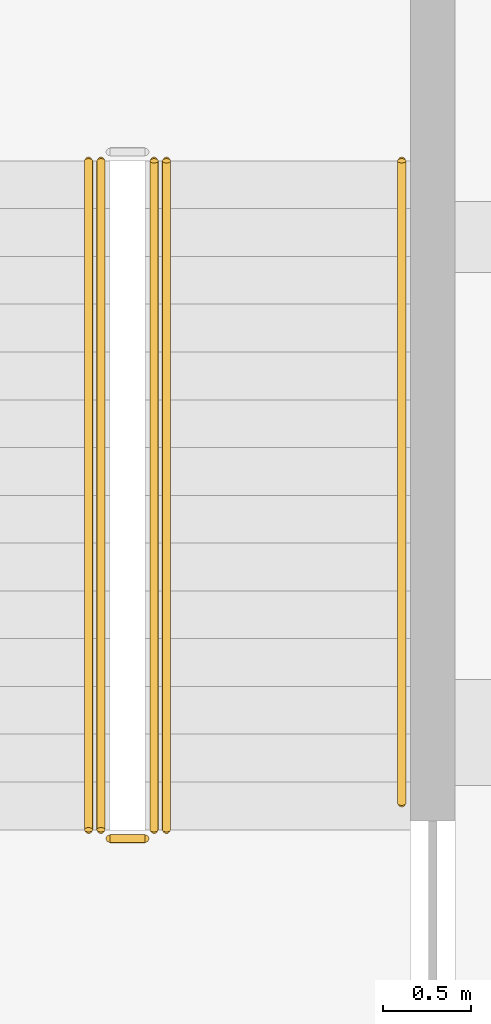
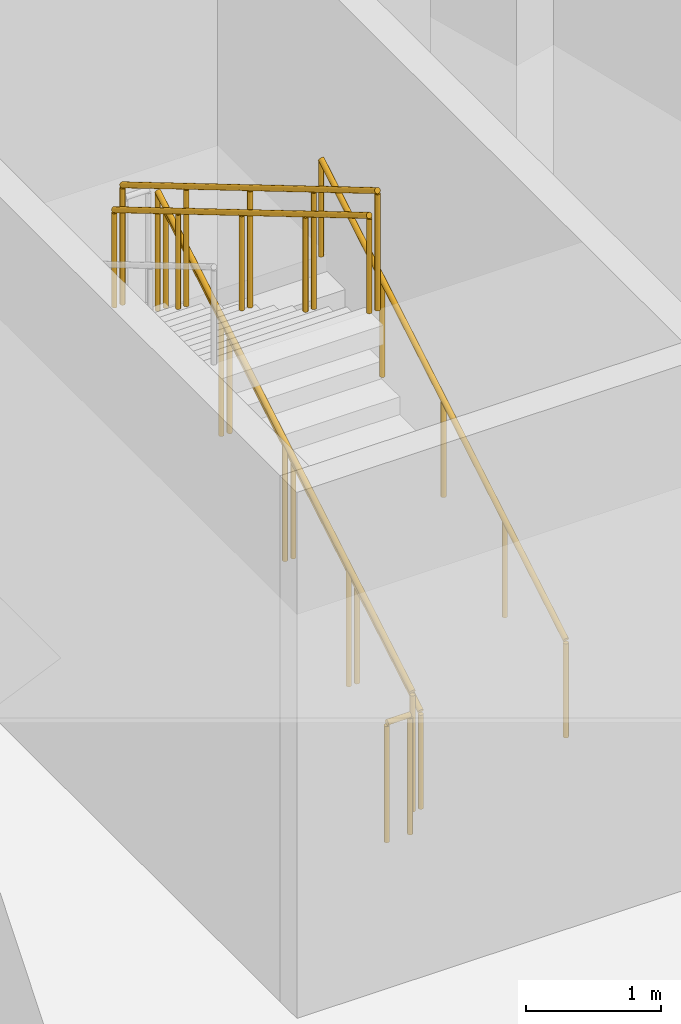
# One storey, part 106 of 119: 6 railings.
"""IFC4 building model written with IfcOpenShell, lengths in metres."""

import ifcopenshell
import ifcopenshell.guid

model = None  # the IFC model being written
_history = None  # IfcOwnerHistory: only IFC2X3 demands one
_inside = {}  # id of a spatial element -> (the spatial element, [elements in it])
_under = {}  # id of a project, library or spatial element -> (it, [spatial elements below it])
_declared = {}  # id of a project -> (the project, [libraries it declares])
_typed = {}  # id of a type object -> (the type object, [elements of that type])
_made_of = {}  # id of a material, layer set ... -> (it, [elements and type objects made of it])


def new_model(schema):
    """Start an empty IFC model of exactly this schema.

    Asked for "IFC4X3", IfcOpenShell would pick the latest addendum, in which some entities
    have other attributes; the version numbers below select the first issue.
    IFC2X3 requires an IfcOwnerHistory on every rooted entity: one is made here for all.
    """
    global model, _history
    if schema == "IFC4X3":
        model = ifcopenshell.file(schema_version=(4, 3, 0, 0))
    else:
        model = ifcopenshell.file(schema=schema)
    _inside.clear()
    _under.clear()
    _declared.clear()
    _typed.clear()
    _made_of.clear()
    _history = None
    if model.schema == "IFC2X3":
        org = make("IfcOrganization", Name="unknown")
        user = make(
            "IfcPersonAndOrganization",
            ThePerson=make("IfcPerson", FamilyName="unknown"),
            TheOrganization=org,
        )
        app = make(
            "IfcApplication",
            ApplicationDeveloper=org,
            Version="unknown",
            ApplicationFullName="unknown",
            ApplicationIdentifier="unknown",
        )
        _history = make(
            "IfcOwnerHistory",
            OwningUser=user,
            OwningApplication=app,
            ChangeAction="ADDED",
            CreationDate=0,
        )
    return model


def make(cls, **values):
    """One entity of the class cls with the attributes given. An attribute that is None is left unset."""
    return model.create_entity(
        cls, **{name: value for name, value in values.items() if value is not None}
    )


def rooted(cls, **values):
    """An entity with a GlobalId (a new one), such as an element, a storey or a relation."""
    return make(cls, GlobalId=ifcopenshell.guid.new(), OwnerHistory=_history, **values)


def si_unit(unit_type, name, prefix=None):
    """IfcSIUnit, for example si_unit("LENGTHUNIT", "METRE", prefix="MILLI")."""
    return make("IfcSIUnit", UnitType=unit_type, Prefix=prefix, Name=name)


def assignment(units):
    """IfcUnitAssignment: the units of a project."""
    return None if units is None else make("IfcUnitAssignment", Units=units)


def point(xyz):
    """IfcCartesianPoint."""
    return None if xyz is None else make("IfcCartesianPoint", Coordinates=xyz)


def direction(xyz):
    """IfcDirection."""
    return None if xyz is None else make("IfcDirection", DirectionRatios=xyz)


def frame(location, z_axis=None, x_axis=None):
    """IfcAxis2Placement3D, a coordinate frame: its origin and axes. An axis left out is left unset."""
    return make(
        "IfcAxis2Placement3D",
        Location=point(location),
        Axis=direction(z_axis),
        RefDirection=direction(x_axis),
    )


def frame_2d(location, x_axis=None):
    """IfcAxis2Placement2D, a coordinate frame in the plane: its origin and x axis."""
    return make(
        "IfcAxis2Placement2D", Location=point(location), RefDirection=direction(x_axis)
    )


def origin():
    """The frame at (0, 0, 0) with its axes left unset."""
    return frame((0.0, 0.0, 0.0))


def origin_2d():
    """The frame at (0, 0) in the plane with its x axis left unset."""
    return frame_2d((0.0, 0.0))


def place(relative_to, where):
    """IfcLocalPlacement: puts the frame where relative to a parent placement (None: the world)."""
    return make(
        "IfcLocalPlacement", PlacementRelTo=relative_to, RelativePlacement=where
    )


def context(
    kind, dimensions, precision=None, world=None, true_north=None, identifier=None
):
    """IfcGeometricRepresentationContext, for example the 3D "Model" context."""
    return make(
        "IfcGeometricRepresentationContext",
        ContextIdentifier=identifier,
        ContextType=kind,
        CoordinateSpaceDimension=dimensions,
        Precision=precision,
        WorldCoordinateSystem=world,
        TrueNorth=true_north,
    )


def subcontext(parent, identifier, kind, view, scale=None):
    """IfcGeometricRepresentationSubContext, for example "Body" below "Model"."""
    return make(
        "IfcGeometricRepresentationSubContext",
        ContextIdentifier=identifier,
        ContextType=kind,
        ParentContext=parent,
        TargetScale=scale,
        TargetView=view,
    )


def project(units=None, contexts=None):
    """IfcProject with its units and contexts."""
    return rooted(
        "IfcProject",
        Name="project",
        RepresentationContexts=contexts,
        UnitsInContext=assignment(units),
    )


def spatial(cls, under=None, at=None, **own):
    """A site, building, storey or space (cls), placed at a placement, below another one or the project."""
    s = rooted(cls, ObjectPlacement=at, **own)
    if under is not None:
        _under.setdefault(under.id(), (under, []))[1].append(s)
    return s


def profile(cls, at=None, kind="AREA", **sizes):
    """A parametric profile (cls). Its sizes go by their IFC names, for example OverallWidth=200.0."""
    return make(cls, ProfileType=kind, Position=at, **sizes)


def circle(**sizes):
    """IfcCircleProfileDef."""
    return profile("IfcCircleProfileDef", **sizes)


def extrude(swept, where, along, depth):
    """IfcExtrudedAreaSolid: the profile swept, set in the frame where, extruded along a direction by depth."""
    return make(
        "IfcExtrudedAreaSolid",
        SweptArea=swept,
        Position=where,
        ExtrudedDirection=direction(along),
        Depth=depth,
    )


def shape(context_of_items, identifier, shape_type, items):
    """IfcShapeRepresentation: the items that make up one representation, for example the "Body"."""
    return make(
        "IfcShapeRepresentation",
        ContextOfItems=context_of_items,
        RepresentationIdentifier=identifier,
        RepresentationType=shape_type,
        Items=items,
    )


def material(Name=None, Category=None):
    """IfcMaterial."""
    return make("IfcMaterial", Name=Name, Category=Category)


def made_of(thing, what):
    """Note that an element or type object is made of a material, layer set ...; save() writes the relation."""
    if what is not None:
        _made_of.setdefault(what.id(), (what, []))[1].append(thing)
    return thing


def type_object(cls, material=None, **own):
    """A type object (cls), such as IfcWallType, which elements share."""
    return made_of(rooted(cls, **own), material)


def element(
    cls,
    number,
    at=None,
    inside=None,
    cuts=None,
    type_object=None,
    material=None,
    context=None,
    identifier="Body",
    shape_type=None,
    held_by="IfcProductDefinitionShape",
    body=None,
    shapes=None,
    **own,
):
    """One element of the class cls, such as IfcWall. Its Tag is "e" and its number.

    at: its placement. inside: the storey or other place that contains it. cuts: it is an
    opening in that element (IfcRelVoidsElement). A single representation is given by context,
    identifier, shape_type and body (its items); several are given by shapes. held_by: the class
    of the entity that holds the representations. save() writes the other relations.
    """
    e = rooted(cls, Tag="e%d" % number, ObjectPlacement=at, **own)
    if body is not None:
        shapes = [shape(context, identifier, shape_type, body)]
    if shapes is not None:
        e.Representation = make(held_by, Representations=shapes)
    if inside is not None:
        _inside.setdefault(inside.id(), (inside, []))[1].append(e)
    if cuts is not None:
        rooted(
            "IfcRelVoidsElement", RelatingBuildingElement=cuts, RelatedOpeningElement=e
        )
    if type_object is not None:
        _typed.setdefault(type_object.id(), (type_object, []))[1].append(e)
    return made_of(e, material)


def aggregate(whole, parts):
    """IfcRelAggregates: a whole, such as a stair, and the parts it consists of."""
    return rooted("IfcRelAggregates", RelatingObject=whole, RelatedObjects=parts)


def save(model, path):
    """Write the relations noted so far, then the file.

    IfcRelAggregates (storeys below a building ...), IfcRelContainedInSpatialStructure (elements
    in a storey), IfcRelDefinesByType, IfcRelAssociatesMaterial and IfcRelDeclares: one each for
    every whole, place, type object, material and project.
    """
    for whole, parts in _under.values():
        aggregate(whole, parts)
    for where, things in _inside.values():
        rooted(
            "IfcRelContainedInSpatialStructure",
            RelatedElements=things,
            RelatingStructure=where,
        )
    for kind, things in _typed.values():
        rooted("IfcRelDefinesByType", RelatedObjects=things, RelatingType=kind)
    for what, things in _made_of.values():
        rooted("IfcRelAssociatesMaterial", RelatedObjects=things, RelatingMaterial=what)
    for by, libraries in _declared.values():
        rooted("IfcRelDeclares", RelatingContext=by, RelatedDefinitions=libraries)
    model.write(path)


model = new_model("IFC4")

# Units and contexts
model_context = context("Model", 3, precision=1e-05, world=origin(), true_north=direction((0.0, 1.0)))
body_context = subcontext(model_context, "Body", "Model", "MODEL_VIEW")
ifc_project = project(units=[si_unit("LENGTHUNIT", "METRE"), si_unit("AREAUNIT", "SQUARE_METRE"), si_unit("VOLUMEUNIT", "CUBIC_METRE"), si_unit("PLANEANGLEUNIT", "RADIAN"), si_unit("MASSUNIT", "GRAM", prefix="KILO")], contexts=[model_context])

# Site, building, storey
site_placement = place(None, origin())
site = spatial("IfcSite", under=ifc_project, at=site_placement, CompositionType="ELEMENT")
building_placement = place(site_placement, origin())
building = spatial("IfcBuilding", under=site, at=building_placement, Name="Larchfold Concert Hall", CompositionType="ELEMENT")
storey_placement = place(building_placement, frame((0.0, 0.0, 4.800048828125)))
storey = spatial("IfcBuildingStorey", under=building, at=storey_placement, Name="L01", CompositionType="ELEMENT", Elevation=4.800048828125)

# Railings
ifc_material_1 = material(Name="Stainless steel balustrade", Category="steel")
railing_type_1 = type_object("IfcRailingType", Name="Stair guard 1100", PredefinedType="GUARDRAIL", material=ifc_material_1)
railing_1_placement = place(storey_placement, frame((62.050048828125, 92.449951171875, 0.159912109375)))
element("IfcRailing", 1, at=railing_1_placement, inside=storey, type_object=railing_type_1, Name="Guard GR0001", PredefinedType="GUARDRAIL", context=body_context, shape_type="SweptSolid", body=[
    extrude(circle(Radius=0.02392578125, at=origin_2d()), frame((0.0, 0.0, 1.076171875), z_axis=(0.0, 0.860294241299, 0.509797821089), x_axis=(-1.0, 0.0, 0.0)), (0.0, 0.0, 1.0), 4.393798828125),
    extrude(circle(Radius=0.02099609375, at=origin_2d()), origin(), (0.0, 0.0, 1.0), 1.052001953125),
    extrude(circle(Radius=0.02099609375, at=origin_2d()), frame((0.0, 0.945068359375, 0.56005859375)), (0.0, 0.0, 1.0), 1.052001953125),
    extrude(circle(Radius=0.02099609375, at=origin_2d()), frame((0.0, 1.89013671875, 1.1201171875)), (0.0, 0.0, 1.0), 1.052001953125),
    extrude(circle(Radius=0.02099609375, at=origin_2d()), frame((0.0, 2.8349609375, 1.679931640625)), (0.0, 0.0, 1.0), 1.052001953125),
    extrude(circle(Radius=0.02099609375, at=origin_2d()), frame((0.0, 3.780029296875, 2.239990234375)), (0.0, 0.0, 1.0), 1.052001953125),
])
railing_2_placement = place(storey_placement, frame((61.75, 96.22998046875, 2.56005859375)))
element("IfcRailing", 2, at=railing_2_placement, inside=storey, type_object=railing_type_1, Name="Guard GR0003", PredefinedType="GUARDRAIL", context=body_context, shape_type="SweptSolid", body=[
    extrude(circle(Radius=0.02392578125, at=origin_2d()), frame((0.0, 0.0, 1.076171875), z_axis=(0.0, -0.860294241299, 0.509797821089), x_axis=(1.0, 0.0, 0.0)), (0.0, 0.0, 1.0), 4.393798828125),
    extrude(circle(Radius=0.02099609375, at=origin_2d()), origin(), (0.0, 0.0, 1.0), 1.052001953125),
    extrude(circle(Radius=0.02099609375, at=origin_2d()), frame((0.0, -0.945068359375, 0.56005859375)), (0.0, 0.0, 1.0), 1.052001953125),
    extrude(circle(Radius=0.02099609375, at=origin_2d()), frame((0.0, -1.89013671875, 1.1201171875)), (0.0, 0.0, 1.0), 1.052001953125),
    extrude(circle(Radius=0.02099609375, at=origin_2d()), frame((0.0, -2.8349609375, 1.679931640625)), (0.0, 0.0, 1.0), 1.052001953125),
    extrude(circle(Radius=0.02099609375, at=origin_2d()), frame((0.0, -3.780029296875, 2.239990234375)), (0.0, 0.0, 1.0), 1.052001953125),
])
railing_3_placement = place(storey_placement, frame((62.0, 92.39990234375, 0.0)))
element("IfcRailing", 3, at=railing_3_placement, inside=storey, type_object=railing_type_1, Name="Guard GR0004", PredefinedType="GUARDRAIL", context=body_context, shape_type="SweptSolid", body=[
    extrude(circle(Radius=0.02392578125, at=origin_2d()), frame((0.0, 0.0, 1.076171875), z_axis=(-1.0, 0.0, 0.0), x_axis=(0.0, -1.0, 0.0)), (0.0, 0.0, 1.0), 0.199951171875),
    extrude(circle(Radius=0.02099609375, at=origin_2d()), origin(), (0.0, 0.0, 1.0), 1.052001953125),
    extrude(circle(Radius=0.02099609375, at=origin_2d()), frame((-0.199951171875, 0.0, 0.0)), (0.0, 0.0, 1.0), 1.052001953125),
])
ifc_material_2 = material(Name="Stainless steel handrail", Category="steel")
railing_type_2 = type_object("IfcRailingType", Name="Stair handrail 900", PredefinedType="HANDRAIL", material=ifc_material_2)
railing_4_placement = place(storey_placement, frame((63.449951171875, 92.60009765625, 0.248779296875)))
element("IfcRailing", 4, at=railing_4_placement, inside=storey, type_object=railing_type_2, Name="Handrail HR0001", PredefinedType="HANDRAIL", context=body_context, shape_type="SweptSolid", body=[
    extrude(circle(Radius=0.02392578125, at=origin_2d()), frame((0.0, 0.0, 0.8759765625), z_axis=(0.0, 0.860283074592, 0.509816664665), x_axis=(-1.0, 0.0, 0.0)), (0.0, 0.0, 1.0), 4.219482421875),
    extrude(circle(Radius=0.02099609375, at=origin_2d()), origin(), (0.0, 0.0, 1.0), 0.851806640625),
    extrude(circle(Radius=0.02099609375, at=origin_2d()), frame((0.0, 0.907470703125, 0.537841796875)), (0.0, 0.0, 1.0), 0.851806640625),
    extrude(circle(Radius=0.02099609375, at=origin_2d()), frame((0.0, 1.81494140625, 1.07568359375)), (0.0, 0.0, 1.0), 0.851806640625),
    extrude(circle(Radius=0.02099609375, at=origin_2d()), frame((0.0, 2.722412109375, 1.61328125)), (0.0, 0.0, 1.0), 0.851806640625),
    extrude(circle(Radius=0.02099609375, at=origin_2d()), frame((0.0, 3.6298828125, 2.151123046875)), (0.0, 0.0, 1.0), 0.851806640625),
])
railing_5_placement = place(storey_placement, frame((62.1201171875, 92.449951171875, 0.159912109375)))
element("IfcRailing", 5, at=railing_5_placement, inside=storey, type_object=railing_type_2, Name="Handrail HR0003", PredefinedType="HANDRAIL", context=body_context, shape_type="SweptSolid", body=[
    extrude(circle(Radius=0.02392578125, at=origin_2d()), frame((0.0, 0.0, 0.8759765625), z_axis=(0.0, 0.860294241299, 0.509797821089), x_axis=(-1.0, 0.0, 0.0)), (0.0, 0.0, 1.0), 4.393798828125),
    extrude(circle(Radius=0.02099609375, at=origin_2d()), origin(), (0.0, 0.0, 1.0), 0.851806640625),
    extrude(circle(Radius=0.02099609375, at=origin_2d()), frame((0.0, 0.945068359375, 0.56005859375)), (0.0, 0.0, 1.0), 0.851806640625),
    extrude(circle(Radius=0.02099609375, at=origin_2d()), frame((0.0, 1.89013671875, 1.1201171875)), (0.0, 0.0, 1.0), 0.851806640625),
    extrude(circle(Radius=0.02099609375, at=origin_2d()), frame((0.0, 2.8349609375, 1.679931640625)), (0.0, 0.0, 1.0), 0.851806640625),
    extrude(circle(Radius=0.02099609375, at=origin_2d()), frame((0.0, 3.780029296875, 2.239990234375)), (0.0, 0.0, 1.0), 0.851806640625),
])
railing_6_placement = place(storey_placement, frame((61.679931640625, 96.22998046875, 2.56005859375)))
element("IfcRailing", 6, at=railing_6_placement, inside=storey, type_object=railing_type_2, Name="Handrail HR0004", PredefinedType="HANDRAIL", context=body_context, shape_type="SweptSolid", body=[
    extrude(circle(Radius=0.02392578125, at=origin_2d()), frame((0.0, 0.0, 0.8759765625), z_axis=(0.0, -0.860294241299, 0.509797821089), x_axis=(1.0, 0.0, 0.0)), (0.0, 0.0, 1.0), 4.393798828125),
    extrude(circle(Radius=0.02099609375, at=origin_2d()), origin(), (0.0, 0.0, 1.0), 0.851806640625),
    extrude(circle(Radius=0.02099609375, at=origin_2d()), frame((0.0, -0.945068359375, 0.56005859375)), (0.0, 0.0, 1.0), 0.851806640625),
    extrude(circle(Radius=0.02099609375, at=origin_2d()), frame((0.0, -1.89013671875, 1.1201171875)), (0.0, 0.0, 1.0), 0.851806640625),
    extrude(circle(Radius=0.02099609375, at=origin_2d()), frame((0.0, -2.8349609375, 1.679931640625)), (0.0, 0.0, 1.0), 0.851806640625),
    extrude(circle(Radius=0.02099609375, at=origin_2d()), frame((0.0, -3.780029296875, 2.239990234375)), (0.0, 0.0, 1.0), 0.851806640625),
])

save(model, "model.ifc")
